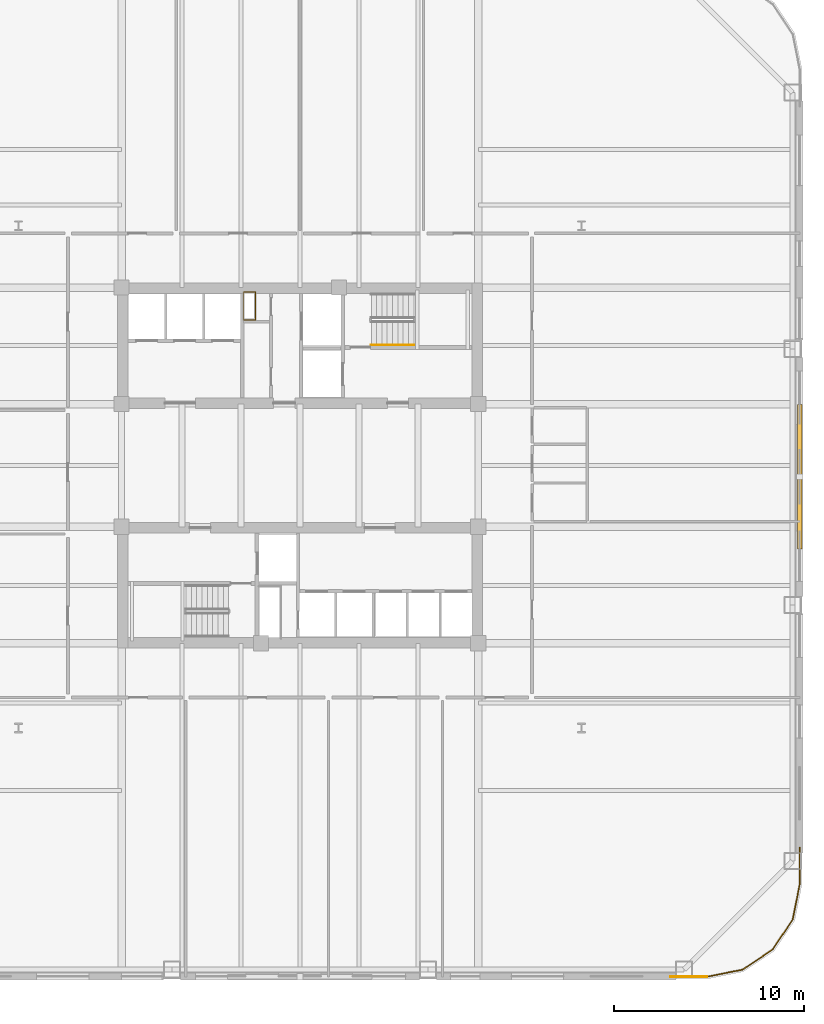
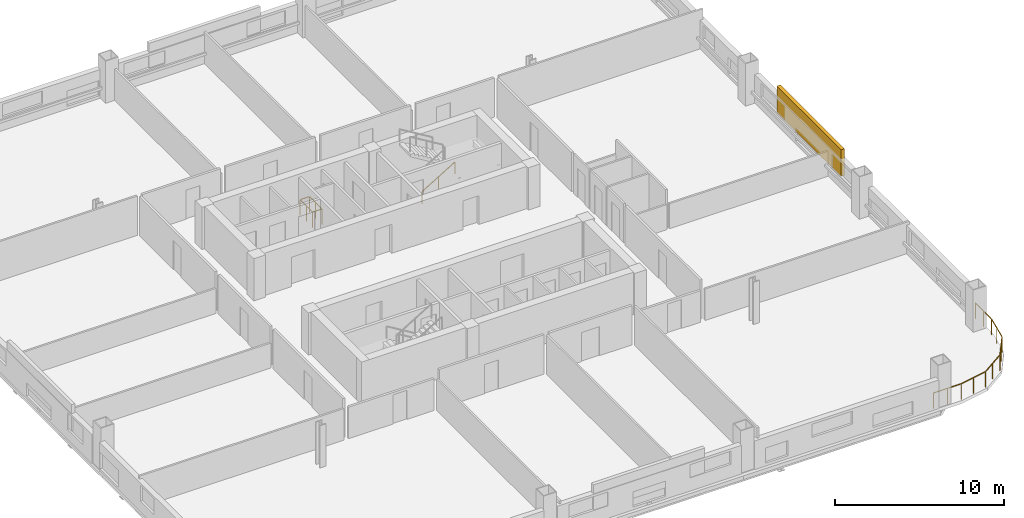
# One storey, part 9 of 12: 4 railings, 1 shading device.
"""IFC4 building model written with IfcOpenShell, lengths in metres."""

from ifc_helpers import new_model, si_unit, direction, frame, origin, origin_2d, place, context, subcontext, project, spatial, rectangle, extrude, material, type_object, element, save


model = new_model("IFC4")

# Units and contexts
model_context = context("Model", 3, precision=1e-05, world=origin(), true_north=direction((0.0, 1.0)))
body_context = subcontext(model_context, "Body", "Model", "MODEL_VIEW")
ifc_project = project(units=[si_unit("LENGTHUNIT", "METRE"), si_unit("AREAUNIT", "SQUARE_METRE"), si_unit("VOLUMEUNIT", "CUBIC_METRE"), si_unit("PLANEANGLEUNIT", "RADIAN"), si_unit("MASSUNIT", "GRAM", prefix="KILO")], contexts=[model_context])

# Site, building, storey
site_placement = place(None, origin())
site = spatial("IfcSite", under=ifc_project, at=site_placement, CompositionType="ELEMENT")
building_placement = place(site_placement, origin())
building = spatial("IfcBuilding", under=site, at=building_placement, Name="Qhalaya Broadcast Tower", CompositionType="ELEMENT")
storey_placement = place(building_placement, frame((0.0, 0.0, 47.449951171875)))
storey = spatial("IfcBuildingStorey", under=building, at=storey_placement, Name="L13", CompositionType="ELEMENT", Elevation=47.449951171875)

# Railings
ifc_material_1 = material(Name="Powder-Coated Galvanised Steel", Category="steel")
railing_type_1 = type_object("IfcRailingType", Name="Stair Wall Handrail 900", PredefinedType="HANDRAIL", material=ifc_material_1)
railing_1_placement = place(storey_placement, frame((3.75, 6.929931640625, 0.16943359375)))
element("IfcRailing", 1, at=railing_1_placement, inside=storey, type_object=railing_type_1, Name="L13 ST-1 Stair Handrail 1", PredefinedType="HANDRAIL", context=body_context, shape_type="SweptSolid", body=[
    extrude(rectangle(XDim=0.048095703125, YDim=0.048095703125, at=origin_2d()), frame((0.0, 0.0, 0.8759765625), z_axis=(0.855512035549, 0.0, 0.517782924622), x_axis=(0.0, 1.0, 0.0)), (0.0, 0.0, 1.0), 2.618408203125),
    extrude(rectangle(XDim=0.0419921875, YDim=0.0419921875, at=origin_2d()), origin(), (0.0, 0.0, 1.0), 0.849853515625),
    extrude(rectangle(XDim=0.0419921875, YDim=0.0419921875, at=origin_2d()), frame((1.1201171875, 0.0, 0.677734375)), (0.0, 0.0, 1.0), 0.849853515625),
    extrude(rectangle(XDim=0.0419921875, YDim=0.0419921875, at=origin_2d()), frame((2.239990234375, 0.0, 1.355712890625)), (0.0, 0.0, 1.0), 0.849853515625),
])
railing_type_2 = type_object("IfcRailingType", Name="Stair Well & Landing Guardrail 1100", PredefinedType="GUARDRAIL", material=ifc_material_1)
railing_2_placement = place(storey_placement, frame((-2.340087890625, 8.239990234375, 0.0)))
element("IfcRailing", 2, at=railing_2_placement, inside=storey, type_object=railing_type_2, Name="L13 Service Riser Opening Safety Guard NRSR", PredefinedType="GUARDRAIL", context=body_context, shape_type="SweptSolid", body=[
    extrude(rectangle(XDim=0.048095703125, YDim=0.048095703125, at=origin_2d()), frame((0.0, 0.02880859375, 1.1259765625), z_axis=(0.0, 1.0, 0.0), x_axis=(-1.0, 0.0, 0.0)), (0.0, 0.0, 1.0), 1.42236328125),
    extrude(rectangle(XDim=0.048095703125, YDim=0.048095703125, at=origin_2d()), frame((-0.02880859375, 1.47998046875, 1.1259765625), z_axis=(-1.0, 0.0, 0.0), x_axis=(0.0, -1.0, 0.0)), (0.0, 0.0, 1.0), 0.582275390625),
    extrude(rectangle(XDim=0.048095703125, YDim=0.048095703125, at=origin_2d()), frame((-0.639892578125, 1.451171875, 1.1259765625), z_axis=(0.0, -1.0, 0.0), x_axis=(1.0, 0.0, 0.0)), (0.0, 0.0, 1.0), 1.42236328125),
    extrude(rectangle(XDim=0.048095703125, YDim=0.048095703125, at=origin_2d()), frame((-0.611083984375, 0.0, 1.1259765625), z_axis=(1.0, 0.0, 0.0), x_axis=(0.0, 1.0, 0.0)), (0.0, 0.0, 1.0), 0.582275390625),
    extrude(rectangle(XDim=0.0419921875, YDim=0.0419921875, at=origin_2d()), origin(), (0.0, 0.0, 1.0), 1.099853515625),
    extrude(rectangle(XDim=0.0419921875, YDim=0.0419921875, at=origin_2d()), frame((0.0, 0.739990234375, 0.0)), (0.0, 0.0, 1.0), 1.099853515625),
    extrude(rectangle(XDim=0.0419921875, YDim=0.0419921875, at=origin_2d()), frame((0.0, 1.47998046875, 0.0)), (0.0, 0.0, 1.0), 1.099853515625),
    extrude(rectangle(XDim=0.0419921875, YDim=0.0419921875, at=origin_2d()), frame((-0.639892578125, 1.47998046875, 0.0)), (0.0, 0.0, 1.0), 1.099853515625),
    extrude(rectangle(XDim=0.0419921875, YDim=0.0419921875, at=origin_2d()), frame((-0.639892578125, 0.739990234375, 0.0)), (0.0, 0.0, 1.0), 1.099853515625),
    extrude(rectangle(XDim=0.0419921875, YDim=0.0419921875, at=origin_2d()), frame((-0.639892578125, 0.0, 0.0)), (0.0, 0.0, 1.0), 1.099853515625),
])
railing_type_3 = type_object("IfcRailingType", Name="Terrace, Sky-Pool & Lookout Glass Balustrade 1150", PredefinedType="BALUSTRADE", material=ifc_material_1)
railing_3_placement = place(storey_placement, frame((21.38818359375, -26.280029296875, 0.0)))
element("IfcRailing", 3, at=railing_3_placement, inside=storey, type_object=railing_type_3, Name="L13 Rounded Corner Perimeter Guard 01", PredefinedType="BALUSTRADE", context=body_context, shape_type="SweptSolid", body=[
    extrude(rectangle(XDim=0.048095703125, YDim=0.048095703125, at=origin_2d()), frame((0.0, 0.0, 1.1259765625), z_axis=(-1.0, 0.0, 0.0), x_axis=(0.0, -1.0, 0.0)), (0.0, 0.0, 1.0), 1.90625),
    extrude(rectangle(XDim=0.0419921875, YDim=0.0419921875, at=origin_2d()), origin(), (0.0, 0.0, 1.0), 1.099853515625),
    extrude(rectangle(XDim=0.0419921875, YDim=0.0419921875, at=origin_2d()), frame((-0.953125, 0.0, 0.0)), (0.0, 0.0, 1.0), 1.099853515625),
    extrude(rectangle(XDim=0.0419921875, YDim=0.0419921875, at=origin_2d()), frame((-1.90625, 0.0, 0.0)), (0.0, 0.0, 1.0), 1.099853515625),
])
railing_4_placement = place(storey_placement, frame((26.280029296875, -19.48193359375, 0.0)))
element("IfcRailing", 4, at=railing_4_placement, inside=storey, type_object=railing_type_3, Name="L13 Rounded Corner Perimeter Guard 05", PredefinedType="BALUSTRADE", context=body_context, shape_type="SweptSolid", body=[
    extrude(rectangle(XDim=0.048095703125, YDim=0.048095703125, at=origin_2d()), frame((0.0, 0.0, 1.1259765625), z_axis=(0.0, -1.0, 0.0), x_axis=(1.0, 0.0, 0.0)), (0.0, 0.0, 1.0), 1.87744140625),
    extrude(rectangle(XDim=0.048095703125, YDim=0.048095703125, at=origin_2d()), frame((-0.005615234375, -1.9345703125, 1.1259765625), z_axis=(-0.195037378397, -0.980795810058, 0.0), x_axis=(0.980795810058, -0.195037378397, 0.0)), (0.0, 0.0, 1.0), 1.857421875),
    extrude(rectangle(XDim=0.048095703125, YDim=0.048095703125, at=origin_2d()), frame((-0.3896484375, -3.80859375, 1.1259765625), z_axis=(-0.555558355728, -0.831477548332, 0.0), x_axis=(0.831477548332, -0.555558355728, 0.0)), (0.0, 0.0, 1.0), 1.845458984375),
    extrude(rectangle(XDim=0.048095703125, YDim=0.048095703125, at=origin_2d()), frame((-1.454833984375, -5.38330078125, 1.1259765625), z_axis=(-0.831477548332, -0.555558355728, 0.0), x_axis=(0.555558355728, -0.831477548332, 0.0)), (0.0, 0.0, 1.0), 1.845458984375),
    extrude(rectangle(XDim=0.048095703125, YDim=0.048095703125, at=origin_2d()), frame((-3.041748046875, -6.43017578125, 1.1259765625), z_axis=(-0.980795810058, -0.195037378397, 0.0), x_axis=(0.195037378397, -0.980795810058, 0.0)), (0.0, 0.0, 1.0), 1.88623046875),
    extrude(rectangle(XDim=0.0419921875, YDim=0.0419921875, at=origin_2d()), origin(), (0.0, 0.0, 1.0), 1.099853515625),
    extrude(rectangle(XDim=0.0419921875, YDim=0.0419921875, at=origin_2d()), frame((0.0, -0.953125, 0.0)), (0.0, 0.0, 1.0), 1.099853515625),
    extrude(rectangle(XDim=0.0419921875, YDim=0.0419921875, at=origin_2d()), frame((0.0, -1.90625, 0.0)), (0.0, 0.0, 1.0), 1.099853515625),
    extrude(rectangle(XDim=0.0419921875, YDim=0.0419921875, at=origin_2d()), frame((-0.186767578125, -2.845458984375, 0.0)), (0.0, 0.0, 1.0), 1.099853515625),
    extrude(rectangle(XDim=0.0419921875, YDim=0.0419921875, at=origin_2d()), frame((-0.37353515625, -3.78466796875, 0.0)), (0.0, 0.0, 1.0), 1.099853515625),
    extrude(rectangle(XDim=0.0419921875, YDim=0.0419921875, at=origin_2d()), frame((-0.90234375, -4.575927734375, 0.0)), (0.0, 0.0, 1.0), 1.099853515625),
    extrude(rectangle(XDim=0.0419921875, YDim=0.0419921875, at=origin_2d()), frame((-1.430908203125, -5.3671875, 0.0)), (0.0, 0.0, 1.0), 1.099853515625),
    extrude(rectangle(XDim=0.0419921875, YDim=0.0419921875, at=origin_2d()), frame((-2.22216796875, -5.89599609375, 0.0)), (0.0, 0.0, 1.0), 1.099853515625),
    extrude(rectangle(XDim=0.0419921875, YDim=0.0419921875, at=origin_2d()), frame((-3.013427734375, -6.424560546875, 0.0)), (0.0, 0.0, 1.0), 1.099853515625),
    extrude(rectangle(XDim=0.0419921875, YDim=0.0419921875, at=origin_2d()), frame((-3.95263671875, -6.611328125, 0.0)), (0.0, 0.0, 1.0), 1.099853515625),
    extrude(rectangle(XDim=0.0419921875, YDim=0.0419921875, at=origin_2d()), frame((-4.891845703125, -6.798095703125, 0.0)), (0.0, 0.0, 1.0), 1.099853515625),
])

# Shading device
ifc_material_2 = material(Name="Fired Architectural Terracotta", Category="masonry")
shading_device_type = type_object("IfcShadingDeviceType", Name="Terracotta Baguette Solar Screen Assembly TBS-01", PredefinedType="USERDEFINED", material=ifc_material_2)
shading_device_placement = place(storey_placement, frame((26.280029296875, 0.0, 0.79248046875), z_axis=(0.0, 0.0, 1.0), x_axis=(0.0, 1.0, 0.0)))
element("IfcShadingDevice", 5, at=shading_device_placement, inside=storey, type_object=shading_device_type, Name="L13 Fired Terracotta Baguette Screen E", ObjectType="BAGUETTE", PredefinedType="USERDEFINED", context=body_context, shape_type="SweptSolid", body=[
    extrude(rectangle(XDim=7.60009765625, YDim=0.239990234375, at=origin_2d()), origin(), (0.0, 0.0, 1.0), 1.924072265625),
])

save(model, "model.ifc")
